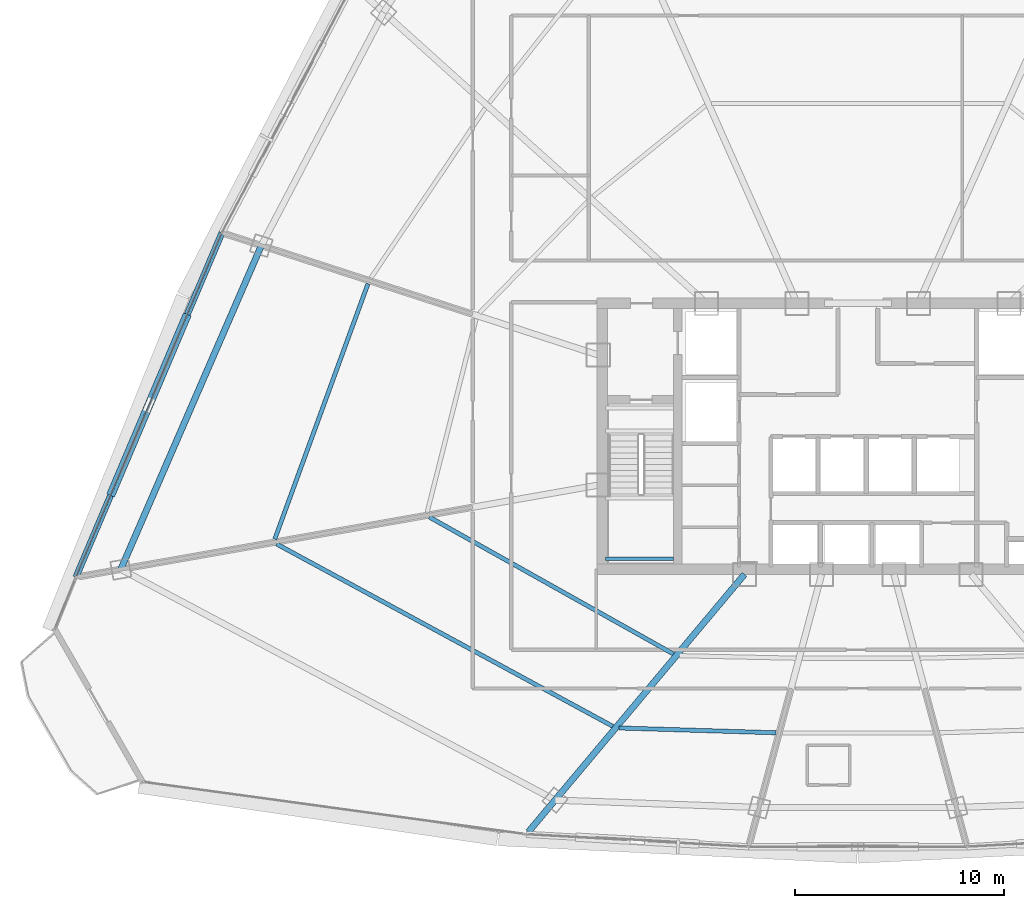
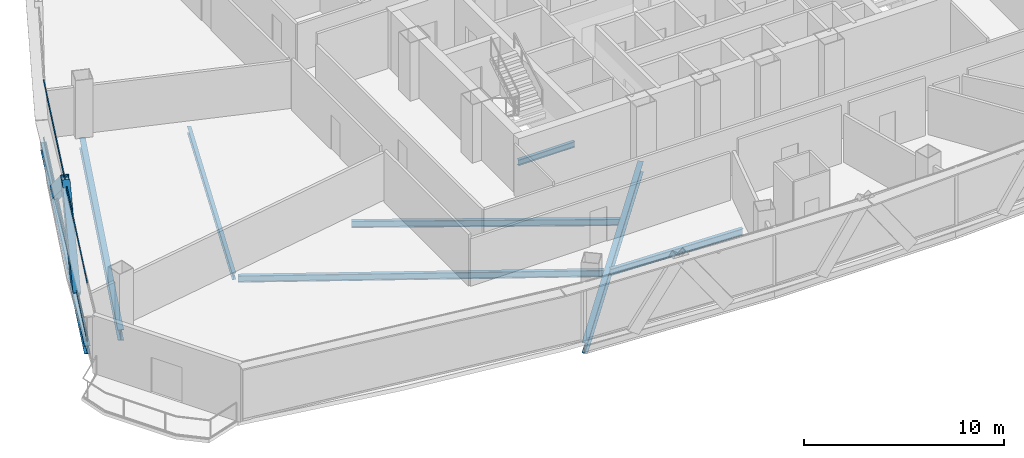
# One storey, part 7 of 37: 8 beams, 4 members, 1 element without a shape of its own.
"""IFC4 building model written with IfcOpenShell, lengths in metres."""

from ifc_helpers import new_model, si_unit, direction, frame, origin, origin_2d, place, context, subcontext, project, spatial, hollow_rectangle, i_section, extrude, source, transform, mapped, material, layer, layer_set, material_profile, profile_set, type_object, element, aggregate, save


model = new_model("IFC4")

# Units and contexts
model_context = context("Model", 3, precision=1e-05, world=origin(), true_north=direction((0.0, 1.0)))
body_context = subcontext(model_context, "Body", "Model", "MODEL_VIEW")
ifc_project = project(units=[si_unit("LENGTHUNIT", "METRE"), si_unit("AREAUNIT", "SQUARE_METRE"), si_unit("VOLUMEUNIT", "CUBIC_METRE"), si_unit("PLANEANGLEUNIT", "RADIAN"), si_unit("MASSUNIT", "GRAM", prefix="KILO"), si_unit("THERMODYNAMICTEMPERATUREUNIT", "KELVIN"), si_unit("POWERUNIT", "WATT")], contexts=[model_context])

# Site, building, storey
site_placement = place(None, origin())
site = spatial("IfcSite", under=ifc_project, at=site_placement, CompositionType="ELEMENT")
building_placement = place(site_placement, origin())
building = spatial("IfcBuilding", under=site, at=building_placement, Name="Yunzhuo Pagoda Commons", CompositionType="ELEMENT")
storey_placement = place(building_placement, frame((0.0, 0.0, 196.159912109375)))
storey = spatial("IfcBuildingStorey", under=building, at=storey_placement, Name="L49", CompositionType="ELEMENT", Elevation=196.159912109375)

# Beams
ifc_material_1 = material(Name="Structural steel Q355B", Category="steel")
ifc_material_profile_1 = material_profile(ifc_material_1, i_section(OverallWidth=0.175048828125, OverallDepth=0.35009765625, WebThickness=0.007080078125, FlangeThickness=0.010986328125, at=origin_2d()), Name="Structural steel Q355B")
ifc_profile_set_1 = profile_set([ifc_material_profile_1], Name="Structural steel Q355B")
beam_type_1 = type_object("IfcBeamType", Name="B-JS2 Joist HN 350x175x7x11", PredefinedType="JOIST", material=ifc_profile_set_1)
shared_shape_1 = source(origin(), body_context, "Body", "SweptSolid", [
    extrude(i_section(OverallWidth=0.175048828125, OverallDepth=0.35009765625, WebThickness=0.007080078125, FlangeThickness=0.010986328125, at=origin_2d()), origin(), (0.0, 0.0, 1.0), 3.25),
])
beam_1_placement = place(storey_placement, frame((35.949951171875, 28.0, 1.525146484375), z_axis=(1.0, 0.0, 0.0), x_axis=(0.0, 1.0, 0.0)))
element("IfcBeam", 1, at=beam_1_placement, inside=storey, type_object=beam_type_1, Name="L49 ST1 landing support beam 55A", PredefinedType="JOIST", context=body_context, shape_type="MappedRepresentation", body=[
    mapped(shared_shape_1, transform((0.0, 0.0, 0.0), scale=1.0)),
])
ifc_material_profile_2 = material_profile(ifc_material_1, i_section(OverallWidth=0.300048828125, OverallDepth=0.64990234375, WebThickness=0.012939453125, FlangeThickness=0.02197265625, at=origin_2d()), Name="Structural steel Q355B")
ifc_profile_set_2 = profile_set([ifc_material_profile_2], Name="Structural steel Q355B")
beam_type_2 = type_object("IfcBeamType", Name="B-RG2 Beam HN 650x300x13x22", PredefinedType="BEAM", material=ifc_profile_set_2)
shared_shape_2 = source(origin(), body_context, "Body", "SweptSolid", [
    extrude(i_section(OverallWidth=0.300048828125, OverallDepth=0.64990234375, WebThickness=0.012939453125, FlangeThickness=0.02197265625, at=origin_2d()), origin(), (0.0, 0.0, 1.0), 16.859619140625),
])
beam_2_placement = place(storey_placement, frame((19.50537109375, 42.95849609375, -0.5849609375), z_axis=(-0.398104384161, -0.917340121935, 0.0), x_axis=(0.917340121935, -0.398104384161, 0.0)))
element("IfcBeam", 2, at=beam_2_placement, inside=storey, type_object=beam_type_2, Name="L49 column-ring beam 11", PredefinedType="BEAM", context=body_context, shape_type="MappedRepresentation", body=[
    mapped(shared_shape_2, transform((0.0, 0.0, 0.0), scale=1.0)),
])
ifc_material_profile_3 = material_profile(ifc_material_1, i_section(OverallWidth=0.199951171875, OverallDepth=0.39990234375, WebThickness=0.008056640625, FlangeThickness=0.012939453125, at=origin_2d()), Name="Structural steel Q355B")
ifc_profile_set_3 = profile_set([ifc_material_profile_3], Name="Structural steel Q355B")
beam_type_3 = type_object("IfcBeamType", Name="B-JS1 Joist HN 400x200x8x13", PredefinedType="JOIST", material=ifc_profile_set_3)
shared_shape_3 = source(origin(), body_context, "Body", "SweptSolid", [
    extrude(i_section(OverallWidth=0.199951171875, OverallDepth=0.39990234375, WebThickness=0.008056640625, FlangeThickness=0.012939453125, at=origin_2d()), origin(), (0.0, 0.0, 1.0), 7.49365234375),
])
beam_3_placement = place(storey_placement, frame((36.593505859375, 19.911865234375, -0.4599609375), z_axis=(0.99952593018, -0.030788226605, 0.0), x_axis=(0.030788226605, 0.99952593018, 0.0)))
element("IfcBeam", 3, at=beam_3_placement, inside=storey, type_object=beam_type_3, Name="L49 composite ring joist 2.1", PredefinedType="JOIST", context=body_context, shape_type="MappedRepresentation", body=[
    mapped(shared_shape_3, transform((0.0, 0.0, 0.0), scale=1.0)),
])
shared_shape_4 = source(origin(), body_context, "Body", "SweptSolid", [
    extrude(i_section(OverallWidth=0.199951171875, OverallDepth=0.39990234375, WebThickness=0.008056640625, FlangeThickness=0.012939453125, at=origin_2d()), origin(), (0.0, 0.0, 1.0), 13.372802734375),
])
beam_4_placement = place(storey_placement, frame((27.5283203125, 29.988037109375, -0.4599609375), z_axis=(0.872150261016, -0.4892381038, 0.0), x_axis=(0.4892381038, 0.872150261016, 0.0)))
element("IfcBeam", 4, at=beam_4_placement, inside=storey, type_object=beam_type_3, Name="L49 composite ring joist 1.12", PredefinedType="JOIST", context=body_context, shape_type="MappedRepresentation", body=[
    mapped(shared_shape_4, transform((0.0, 0.0, 0.0), scale=1.0)),
])
shared_shape_5 = source(origin(), body_context, "Body", "SweptSolid", [
    extrude(i_section(OverallWidth=0.199951171875, OverallDepth=0.39990234375, WebThickness=0.008056640625, FlangeThickness=0.012939453125, at=origin_2d()), origin(), (0.0, 0.0, 1.0), 18.27294921875),
])
beam_5_placement = place(storey_placement, frame((20.2314453125, 28.703125, -0.4599609375), z_axis=(0.879067821824, -0.476696721861, 0.0), x_axis=(0.476696721861, 0.879067821824, 0.0)))
element("IfcBeam", 5, at=beam_5_placement, inside=storey, type_object=beam_type_3, Name="L49 composite ring joist 2.12", PredefinedType="JOIST", context=body_context, shape_type="MappedRepresentation", body=[
    mapped(shared_shape_5, transform((0.0, 0.0, 0.0), scale=1.0)),
])
shared_shape_6 = source(origin(), body_context, "Body", "SweptSolid", [
    extrude(i_section(OverallWidth=0.199951171875, OverallDepth=0.39990234375, WebThickness=0.008056640625, FlangeThickness=0.012939453125, at=origin_2d()), origin(), (0.0, 0.0, 1.0), 12.994873046875),
])
beam_6_placement = place(storey_placement, frame((24.60107421875, 41.1357421875, -0.4599609375), z_axis=(-0.342834977914, -0.939395645039, 0.0), x_axis=(0.939395645039, -0.342834977914, 0.0)))
element("IfcBeam", 6, at=beam_6_placement, inside=storey, type_object=beam_type_3, Name="L49 composite ring joist 2.11", PredefinedType="JOIST", context=body_context, shape_type="MappedRepresentation", body=[
    mapped(shared_shape_6, transform((0.0, 0.0, 0.0), scale=1.0)),
])
shared_shape_7 = source(origin(), body_context, "Body", "SweptSolid", [
    extrude(i_section(OverallWidth=0.300048828125, OverallDepth=0.64990234375, WebThickness=0.012939453125, FlangeThickness=0.02197265625, at=origin_2d()), origin(), (0.0, 0.0, 1.0), 16.0595703125),
])
beam_7_placement = place(storey_placement, frame((32.264892578125, 14.94775390625, -0.5849609375), z_axis=(0.64279447514, 0.766038682267, 0.0), x_axis=(-0.766038682267, 0.64279447514, 0.0)))
element("IfcBeam", 7, at=beam_7_placement, inside=storey, type_object=beam_type_2, Name="L49 radial floor girder F1C1", PredefinedType="BEAM", context=body_context, shape_type="MappedRepresentation", body=[
    mapped(shared_shape_7, transform((0.0, 0.0, 0.0), scale=1.0)),
])
ifc_material_profile_4 = material_profile(ifc_material_1, i_section(OverallWidth=0.300048828125, OverallDepth=0.488037109375, WebThickness=0.010986328125, FlangeThickness=0.01806640625, at=origin_2d()), Name="Structural steel Q355B")
ifc_profile_set_4 = profile_set([ifc_material_profile_4], Name="Structural steel Q355B")
beam_type_4 = type_object("IfcBeamType", Name="B-SP1 Beam HM 488x300x11x18", PredefinedType="BEAM", material=ifc_profile_set_4)
shared_shape_8 = source(origin(), body_context, "Body", "SweptSolid", [
    extrude(i_section(OverallWidth=0.300048828125, OverallDepth=0.488037109375, WebThickness=0.010986328125, FlangeThickness=0.01806640625, at=origin_2d()), origin(), (0.0, 0.0, 1.0), 17.874267578125),
])
beam_8_placement = place(storey_placement, frame((17.623779296875, 43.56982421875, -0.50390625), z_axis=(-0.390352355203, -0.920665541219, 0.0), x_axis=(0.920665541219, -0.390352355203, 0.0)))
element("IfcBeam", 8, at=beam_8_placement, inside=storey, type_object=beam_type_4, Name="L49 facade edge spandrel beam F3.3", PredefinedType="BEAM", context=body_context, shape_type="MappedRepresentation", body=[
    mapped(shared_shape_8, transform((0.0, 0.0, 0.0), scale=1.0)),
])

# Members
ifc_material_profile_5 = material_profile(ifc_material_1, hollow_rectangle(XDim=0.39990234375, YDim=0.719970703125, WallThickness=0.02392578125, at=origin_2d()), Name="Structural steel Q355B")
ifc_profile_set_5 = profile_set([ifc_material_profile_5], Name="Structural steel Q355B")
member_type_1 = type_object("IfcMemberType", Name="M-DL2 Brace BOX 720x400x24", PredefinedType="BRACE", material=ifc_profile_set_5)
shared_shape_9 = source(origin(), body_context, "Body", "SweptSolid", [
    extrude(hollow_rectangle(XDim=0.39990234375, YDim=0.719970703125, WallThickness=0.02392578125, at=origin_2d()), origin(), (0.0, 0.0, 1.0), 5.865966796875),
])
for number, where, z_axis, x_axis, name in (
    (9, (15.879638671875, 39.4560546875, -0.260009765625), (-0.297370330178, -0.701369461743, 0.647805344887), (0.920666876171, -0.390349206637, 0.0), "L49 facade diamond brace F3.3L"),
    (10, (12.390869140625, 31.227783203125, -0.260009765625), (0.297379010703, 0.701348314816, 0.647824254947), (-0.920658551052, 0.39036884145, 0.0), "L49 facade diamond brace F3.3R"),
):
    element("IfcMember", number, at=place(storey_placement, frame(where, z_axis=z_axis, x_axis=x_axis)), inside=storey, type_object=member_type_1, Name=name, PredefinedType="BRACE", context=body_context, shape_type="MappedRepresentation", body=[
        mapped(shared_shape_9, transform((0.0, 0.0, 0.0), scale=1.0)),
    ])

# Curtain wall, members
ifc_material_2 = material(Name="Anodized aluminium 6063-T6", Category="aluminium")
ifc_layer = layer(ifc_material_2, 0.14990234375)
ifc_layer_set = layer_set([ifc_layer], Name="Anodized aluminium 6063-T6")
curtain_wall_type = type_object("IfcCurtainWallType", Name="CW-MID Mid-Zone Ribbon Curtain Wall", PredefinedType="NOTDEFINED", material=ifc_layer_set)
curtain_wall_placement = place(storey_placement, origin())
curtain_wall = element("IfcCurtainWall", 11, at=curtain_wall_placement, inside=storey, type_object=curtain_wall_type, Name="L49 curtain wall CW-L49-F3B4", PredefinedType="NOTDEFINED")
ifc_material_profile_6 = material_profile(ifc_material_2, hollow_rectangle(XDim=0.054931640625, YDim=0.1298828125, WallThickness=0.00341796875, at=origin_2d()), Name="Anodized aluminium 6063-T6")
ifc_profile_set_6 = profile_set([ifc_material_profile_6], Name="Anodized aluminium 6063-T6")
member_type_2 = type_object("IfcMemberType", Name="CW-MID-T Transom RHS 130x55x3.5", PredefinedType="USERDEFINED", material=ifc_profile_set_6)
shared_shape_10 = source(origin(), body_context, "Body", "SweptSolid", [
    extrude(hollow_rectangle(XDim=0.054931640625, YDim=0.1298828125, WallThickness=0.00341796875, at=origin_2d()), origin(), (0.0, 0.0, 1.0), 17.754150390625),
])
member_1_placement = place(storey_placement, frame((17.600341796875, 43.5146484375, 0.027587890625), z_axis=(-0.39035313802, -0.920665209312, 0.0), x_axis=(0.920665209312, -0.39035313802, 0.0)))
member_1 = element("IfcMember", 12, at=member_1_placement, type_object=member_type_2, Name="CW transom 1.1", ObjectType="TRANSOM", PredefinedType="USERDEFINED", context=body_context, shape_type="MappedRepresentation", body=[
    mapped(shared_shape_10, transform((0.0, 0.0, 0.0), scale=1.0)),
])
member_2_placement = place(storey_placement, frame((17.600341796875, 43.5146484375, 3.5126953125), z_axis=(-0.39035313802, -0.920665209312, 0.0), x_axis=(0.920665209312, -0.39035313802, 0.0)))
member_2 = element("IfcMember", 13, at=member_2_placement, type_object=member_type_2, Name="CW transom 1.2", ObjectType="TRANSOM", PredefinedType="USERDEFINED", context=body_context, shape_type="MappedRepresentation", body=[
    mapped(shared_shape_10, transform((0.0, 0.0, 0.0), scale=1.0)),
])
aggregate(curtain_wall, [member_1, member_2])

save(model, "model.ifc")
